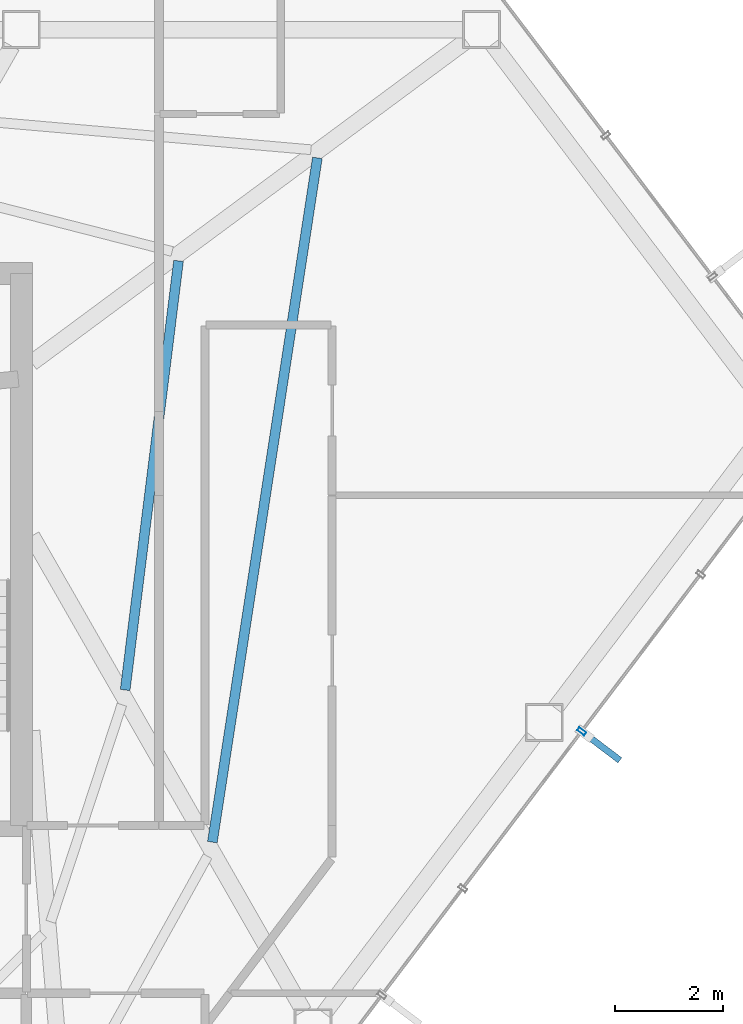
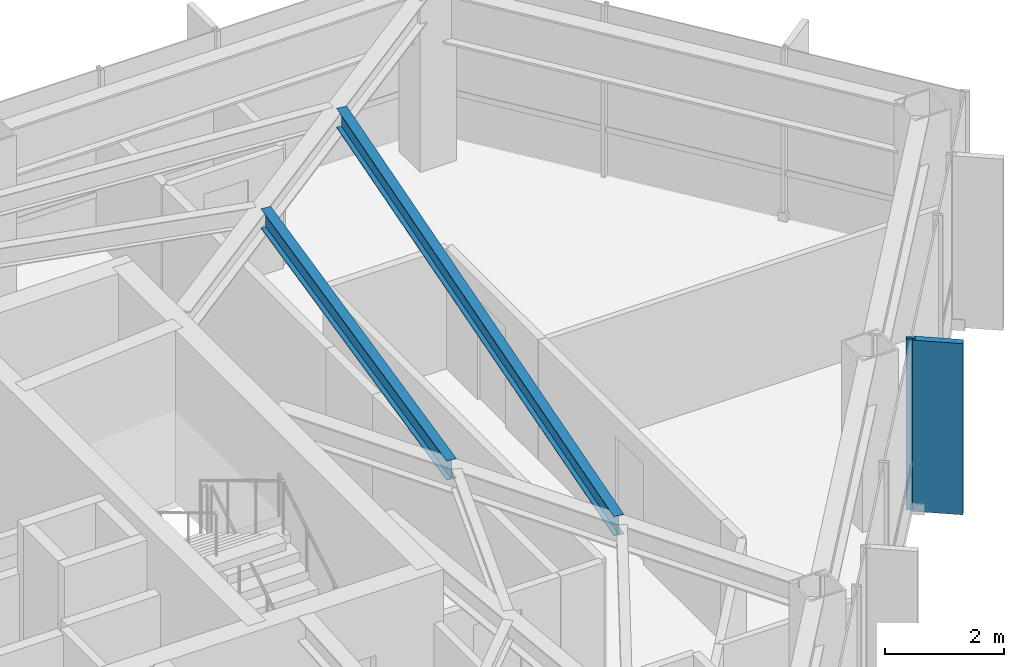
# One storey, part 20 of 28: 2 beams, 2 members, 1 element without a shape of its own.
"""IFC4 building model written with IfcOpenShell, lengths in metres."""

from ifc_helpers import new_model, si_unit, direction, frame, origin, origin_2d, place, context, subcontext, project, spatial, rectangle, hollow_rectangle, i_section, extrude, material, layer, layer_set, material_profile, profile_set, type_object, element, aggregate, save


model = new_model("IFC4")

# Units and contexts
model_context = context("Model", 3, precision=1e-05, world=origin(), true_north=direction((0.0, 1.0)))
body_context = subcontext(model_context, "Body", "Model", "MODEL_VIEW")
ifc_project = project(units=[si_unit("LENGTHUNIT", "METRE"), si_unit("AREAUNIT", "SQUARE_METRE"), si_unit("VOLUMEUNIT", "CUBIC_METRE"), si_unit("PLANEANGLEUNIT", "RADIAN"), si_unit("MASSUNIT", "GRAM", prefix="KILO")], contexts=[model_context])

# Site, building, storey
site_placement = place(None, origin())
site = spatial("IfcSite", under=ifc_project, at=site_placement, CompositionType="ELEMENT")
building_placement = place(site_placement, origin())
building = spatial("IfcBuilding", under=site, at=building_placement, Name="Zarrinselat Tower", CompositionType="ELEMENT")
storey_placement = place(building_placement, frame((0.0, 0.0, 187.0)))
storey = spatial("IfcBuildingStorey", under=building, at=storey_placement, Name="L46", CompositionType="ELEMENT", Elevation=187.0)

# Beams
ifc_material_1 = material(Name="Steel S355J2", Category="steel")
ifc_material_profile_1 = material_profile(ifc_material_1, i_section(OverallWidth=0.179931640625, OverallDepth=0.39990234375, WebThickness=0.008544921875, FlangeThickness=0.013427734375, at=origin_2d()), Name="IPE 400")
ifc_profile_set_1 = profile_set([ifc_material_profile_1], Name="Steel S355J2")
beam_type = type_object("IfcBeamType", Name="BM-IPE400", PredefinedType="JOIST", material=ifc_profile_set_1)
beam_1_placement = place(storey_placement, frame((51.787109375, 32.943115234375, 3.300048828125), z_axis=(0.151648394651, 0.988434501826, 0.0), x_axis=(-0.988434501826, 0.151648394651, 0.0)))
element("IfcBeam", 1, at=beam_1_placement, inside=storey, type_object=beam_type, Name="L46 Composite Floor Joist 5-1", PredefinedType="JOIST", context=body_context, shape_type="SweptSolid", body=[
    extrude(i_section(OverallWidth=0.179931640625, OverallDepth=0.39990234375, WebThickness=0.008544921875, FlangeThickness=0.013427734375, at=origin_2d()), origin(), (0.0, 0.0, 1.0), 12.790771484375),
])
beam_2_placement = place(storey_placement, frame((50.17529296875, 35.75341796875, 3.300048828125), z_axis=(0.123470631939, 0.992348226707, 0.0), x_axis=(-0.992348226707, 0.123470631939, 0.0)))
element("IfcBeam", 2, at=beam_2_placement, inside=storey, type_object=beam_type, Name="L46 Composite Floor Joist 5-2", PredefinedType="JOIST", context=body_context, shape_type="SweptSolid", body=[
    extrude(i_section(OverallWidth=0.179931640625, OverallDepth=0.39990234375, WebThickness=0.008544921875, FlangeThickness=0.013427734375, at=origin_2d()), origin(), (0.0, 0.0, 1.0), 7.990234375),
])

# Curtain wall, members
ifc_material_2 = material(Name="Extruded Aluminium Alloy EN AW-6063 T6", Category="aluminium")
ifc_layer = layer(ifc_material_2, 0.175048828125)
ifc_layer_set = layer_set([ifc_layer], Name="Extruded Aluminium Alloy EN AW-6063 T6")
curtain_wall_type = type_object("IfcCurtainWallType", Name="CWS-HTL", PredefinedType="NOTDEFINED", material=ifc_layer_set)
curtain_wall_placement = place(storey_placement, origin())
curtain_wall = element("IfcCurtainWall", 3, at=curtain_wall_placement, inside=storey, type_object=curtain_wall_type, Name="L46 Unitised Curtain Wall CW-L46-E05", PredefinedType="NOTDEFINED")
ifc_material_3 = material(Name="Extruded Aluminium Alloy EN AW-6063 T6", Category="aluminium")
ifc_material_profile_2 = material_profile(ifc_material_3, hollow_rectangle(XDim=0.070068359375, YDim=0.159912109375, WallThickness=0.00390625, at=origin_2d()), Name="RHS 160x70x4")
ifc_profile_set_2 = profile_set([ifc_material_profile_2], Name="Extruded Aluminium Alloy EN AW-6063 T6")
member_type_1 = type_object("IfcMemberType", Name="MEM-CW-MUL2", PredefinedType="MULLION", material=ifc_profile_set_2)
member_1_placement = place(storey_placement, frame((58.61181640625, 34.98828125, 0.0), z_axis=(0.0, 0.0, 1.0), x_axis=(0.603856629551, 0.797092950005, 0.0)))
member_1 = element("IfcMember", 4, at=member_1_placement, type_object=member_type_1, Name="CW-L46-E05 Mullion 7", PredefinedType="MULLION", context=body_context, shape_type="SweptSolid", body=[
    extrude(hollow_rectangle(XDim=0.070068359375, YDim=0.159912109375, WallThickness=0.00390625, at=origin_2d()), origin(), (0.0, 0.0, 1.0), 3.5),
])
ifc_material_4 = material(Name="Honed Cream Travertine Stone", Category="masonry")
ifc_material_profile_3 = material_profile(ifc_material_4, rectangle(XDim=0.1201171875, YDim=0.85009765625, at=origin_2d()), Name="FIN 850x120")
ifc_profile_set_3 = profile_set([ifc_material_profile_3], Name="Honed Cream Travertine Stone")
member_type_2 = type_object("IfcMemberType", Name="MEM-STONE-FIN", PredefinedType="USERDEFINED", material=ifc_profile_set_3)
member_2_placement = place(storey_placement, frame((58.978515625, 34.710693359375, 0.0), z_axis=(0.0, 0.0, 1.0), x_axis=(-0.603856629551, -0.797092950005, 0.0)))
member_2 = element("IfcMember", 5, at=member_2_placement, type_object=member_type_2, Name="L46 Stone Shading Fin CW-L46-E05-07", ObjectType="FIN", PredefinedType="USERDEFINED", context=body_context, shape_type="SweptSolid", body=[
    extrude(rectangle(XDim=0.1201171875, YDim=0.85009765625, at=origin_2d()), origin(), (0.0, 0.0, 1.0), 3.5),
])
aggregate(curtain_wall, [member_1, member_2])

save(model, "model.ifc")
